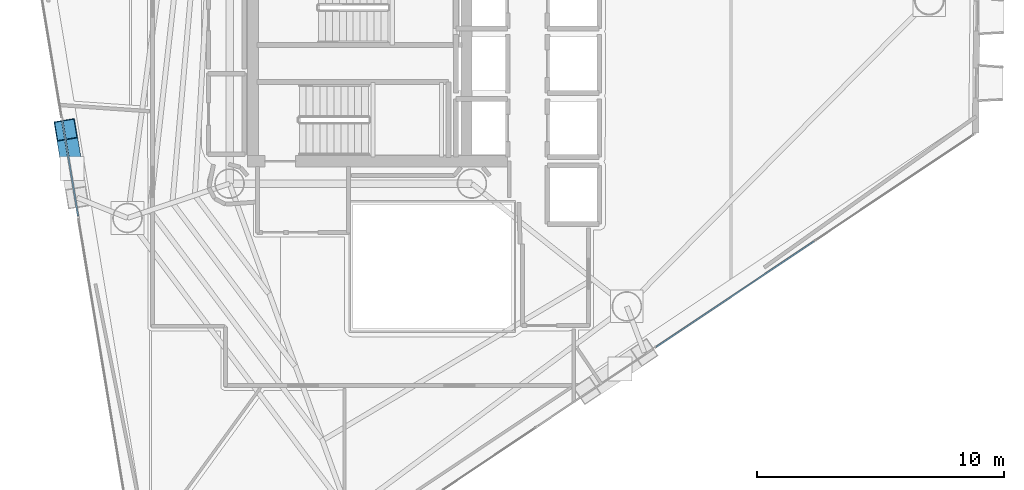
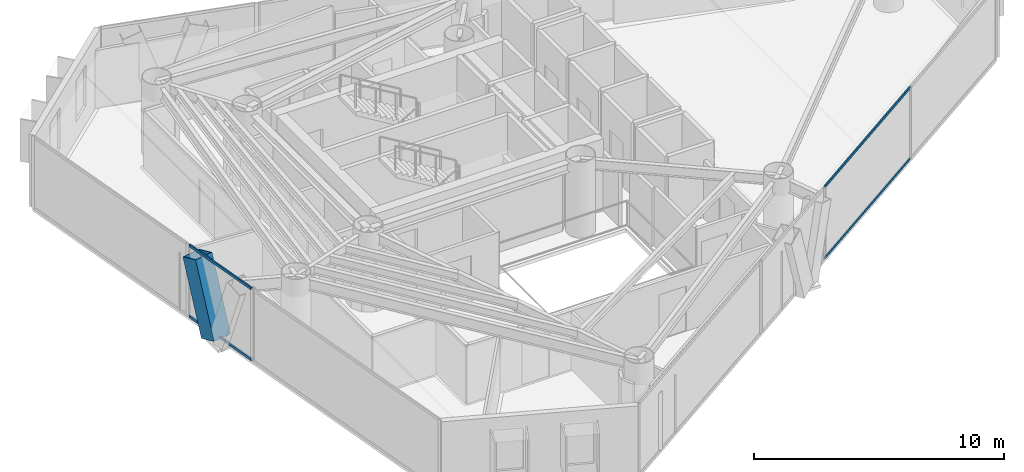
# One storey, part 6 of 21: 5 members, 2 elements without a shape of their own.
"""IFC4 building model written with IfcOpenShell, lengths in metres."""

from ifc_helpers import new_model, si_unit, direction, frame, origin, origin_2d, place, context, subcontext, project, spatial, hollow_rectangle, extrude, material, layer, layer_set, material_profile, profile_set, type_object, element, aggregate, save


model = new_model("IFC4")

# Units and contexts
model_context = context("Model", 3, precision=1e-05, world=origin(), true_north=direction((0.0, 1.0)))
body_context = subcontext(model_context, "Body", "Model", "MODEL_VIEW")
ifc_project = project(units=[si_unit("LENGTHUNIT", "METRE"), si_unit("AREAUNIT", "SQUARE_METRE"), si_unit("VOLUMEUNIT", "CUBIC_METRE"), si_unit("PLANEANGLEUNIT", "RADIAN"), si_unit("MASSUNIT", "GRAM", prefix="KILO")], contexts=[model_context])

# Site, building, storey
site_placement = place(None, origin())
site = spatial("IfcSite", under=ifc_project, at=site_placement, CompositionType="ELEMENT")
building_placement = place(site_placement, origin())
building = spatial("IfcBuilding", under=site, at=building_placement, Name="Qianvela Tower", CompositionType="ELEMENT")
storey_placement = place(building_placement, frame((0.0, 0.0, 189.199951171875)))
storey = spatial("IfcBuildingStorey", under=building, at=storey_placement, Name="L48", CompositionType="ELEMENT", Elevation=189.199951171875)

# Curtain wall, members
ifc_material_1 = material(Name="Anodised Architectural Aluminium and Insulated Spandrel Panel", Category="aluminium")
ifc_layer_1 = layer(ifc_material_1, 0.179931640625)
ifc_layer_set_1 = layer_set([ifc_layer_1], Name="Anodised Architectural Aluminium and Insulated Spandrel Panel")
curtain_wall_type_1 = type_object("IfcCurtainWallType", Name="CW-BRACEBAY", PredefinedType="USERDEFINED", material=ifc_layer_set_1)
curtain_wall_1_placement = place(storey_placement, origin())
curtain_wall_1 = element("IfcCurtainWall", 1, at=curtain_wall_1_placement, inside=storey, type_object=curtain_wall_type_1, Name="L48 CW-BRACEBAY Curtain Wall 04B", ObjectType="CURTAIN_WALL_SYSTEM", PredefinedType="USERDEFINED")
ifc_material_2 = material(Name="Anodised Architectural Aluminium 6063-T6", Category="aluminium")
ifc_material_profile_1 = material_profile(ifc_material_2, hollow_rectangle(XDim=0.06494140625, YDim=0.1298828125, WallThickness=0.00439453125, at=origin_2d()), Name="ALU-TRAN-65x130")
ifc_profile_set_1 = profile_set([ifc_material_profile_1], Name="Anodised Architectural Aluminium 6063-T6")
member_type_1 = type_object("IfcMemberType", Name="CW-BRACEBAY-TRAN", PredefinedType="USERDEFINED", material=ifc_profile_set_1)
member_1_placement = place(storey_placement, frame((21.8330078125, 26.400146484375, 0.032470703125), z_axis=(0.163963589084, -0.986466391447, 0.0), x_axis=(0.986466391447, 0.163963589084, 0.0)))
member_1 = element("IfcMember", 2, at=member_1_placement, type_object=member_type_1, Name="CW-9 transom 1.1", ObjectType="TRANSOM", PredefinedType="USERDEFINED", context=body_context, shape_type="SweptSolid", body=[
    extrude(hollow_rectangle(XDim=0.06494140625, YDim=0.1298828125, WallThickness=0.00439453125, at=origin_2d()), origin(), (0.0, 0.0, 1.0), 3.91015625),
])
member_2_placement = place(storey_placement, frame((21.8330078125, 26.400146484375, 3.487548828125), z_axis=(0.163963589084, -0.986466391447, 0.0), x_axis=(0.986466391447, 0.163963589084, 0.0)))
member_2 = element("IfcMember", 3, at=member_2_placement, type_object=member_type_1, Name="CW-9 transom 1.2", ObjectType="TRANSOM", PredefinedType="USERDEFINED", context=body_context, shape_type="SweptSolid", body=[
    extrude(hollow_rectangle(XDim=0.06494140625, YDim=0.1298828125, WallThickness=0.00439453125, at=origin_2d()), origin(), (0.0, 0.0, 1.0), 3.91015625),
])
aggregate(curtain_wall_1, [member_1, member_2])

ifc_material_3 = material(Name="Anodised Architectural Aluminium and Low-E Glass", Category="aluminium")
ifc_layer_2 = layer(ifc_material_3, 0.159912109375)
ifc_layer_set_2 = layer_set([ifc_layer_2], Name="Anodised Architectural Aluminium and Low-E Glass")
curtain_wall_type_2 = type_object("IfcCurtainWallType", Name="CW-COLIV-Z56", PredefinedType="USERDEFINED", material=ifc_layer_set_2)
curtain_wall_2_placement = place(storey_placement, origin())
curtain_wall_2 = element("IfcCurtainWall", 4, at=curtain_wall_2_placement, inside=storey, type_object=curtain_wall_type_2, Name="L48 CW-COLIV-Z56 Curtain Wall 06C", ObjectType="CURTAIN_WALL_SYSTEM", PredefinedType="USERDEFINED")
ifc_material_4 = material(Name="Anodised Architectural Aluminium 6063-T6", Category="aluminium")
ifc_material_profile_2 = material_profile(ifc_material_4, hollow_rectangle(XDim=0.06005859375, YDim=0.114990234375, WallThickness=0.00390625, at=origin_2d()), Name="ALU-TRAN-60x115")
ifc_profile_set_2 = profile_set([ifc_material_profile_2], Name="Anodised Architectural Aluminium 6063-T6")
member_type_2 = type_object("IfcMemberType", Name="CW-COLIV-Z56-TRAN", PredefinedType="USERDEFINED", material=ifc_profile_set_2)
member_3_placement = place(storey_placement, frame((45.848388671875, 17.240966796875, 0.030029296875), z_axis=(0.831052037064, 0.556194670679, 0.0), x_axis=(-0.556194670679, 0.831052037064, 0.0)))
member_3 = element("IfcMember", 5, at=member_3_placement, type_object=member_type_2, Name="CW-5 transom 1.1", ObjectType="TRANSOM", PredefinedType="USERDEFINED", context=body_context, shape_type="SweptSolid", body=[
    extrude(hollow_rectangle(XDim=0.06005859375, YDim=0.114990234375, WallThickness=0.00390625, at=origin_2d()), origin(), (0.0, 0.0, 1.0), 7.68603515625),
])
member_4_placement = place(storey_placement, frame((45.848388671875, 17.240966796875, 3.489990234375), z_axis=(0.831052037064, 0.556194670679, 0.0), x_axis=(-0.556194670679, 0.831052037064, 0.0)))
member_4 = element("IfcMember", 6, at=member_4_placement, type_object=member_type_2, Name="CW-5 transom 1.2", ObjectType="TRANSOM", PredefinedType="USERDEFINED", context=body_context, shape_type="SweptSolid", body=[
    extrude(hollow_rectangle(XDim=0.06005859375, YDim=0.114990234375, WallThickness=0.00390625, at=origin_2d()), origin(), (0.0, 0.0, 1.0), 7.68603515625),
])
aggregate(curtain_wall_2, [member_3, member_4])

# Member
ifc_material_5 = material(Name="Steel Q420GJC", Category="steel")
ifc_material_profile_3 = material_profile(ifc_material_5, hollow_rectangle(XDim=0.85009765625, YDim=0.85009765625, WallThickness=0.031982421875, at=origin_2d()), Name="MBOX-850x850x32")
ifc_profile_set_3 = profile_set([ifc_material_profile_3], Name="Steel Q420GJC")
member_type_3 = type_object("IfcMemberType", Name="MBR-MBRACE-850", PredefinedType="BRACE", material=ifc_profile_set_3)
member_5_placement = place(storey_placement, frame((22.16845703125, 24.86962890625, -0.139892578125), z_axis=(-0.054029182774, 0.324792965316, 0.944240635162), x_axis=(-0.986444594707, -0.164094672592, 0.0)))
element("IfcMember", 7, at=member_5_placement, inside=storey, type_object=member_type_3, Name="L48 Tier 8 Exterior Mega-Brace F2A", PredefinedType="BRACE", context=body_context, shape_type="SweptSolid", body=[
    extrude(hollow_rectangle(XDim=0.85009765625, YDim=0.85009765625, WallThickness=0.031982421875, at=origin_2d()), origin(), (0.0, 0.0, 1.0), 3.55615234375),
])

save(model, "model.ifc")
